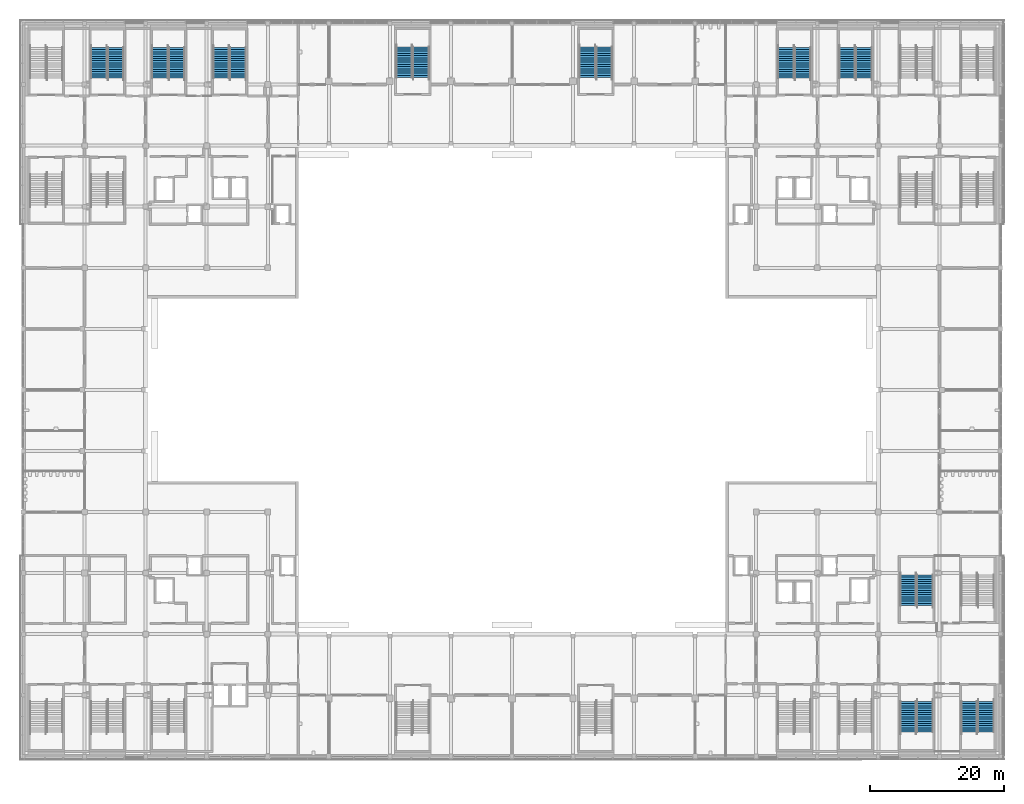
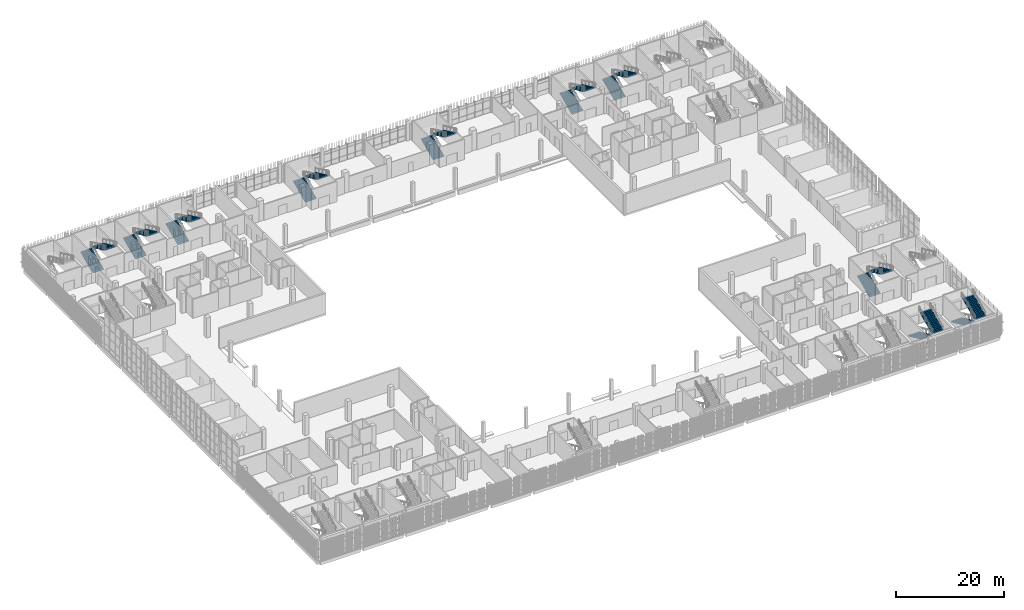
# One storey, part 90 of 126: 20 stair flights, 10 elements without a shape of their own.
"""IFC4 building model written with IfcOpenShell, lengths in metres."""

from ifc_helpers import new_model, si_unit, direction, frame, origin, place, context, subcontext, project, spatial, polyline, outline, extrude, material, type_object, element, aggregate, save


model = new_model("IFC4")

# Units and contexts
model_context = context("Model", 3, precision=1e-05, world=origin(), true_north=direction((0.0, 1.0)))
body_context = subcontext(model_context, "Body", "Model", "MODEL_VIEW")
ifc_project = project(units=[si_unit("LENGTHUNIT", "METRE"), si_unit("AREAUNIT", "SQUARE_METRE"), si_unit("VOLUMEUNIT", "CUBIC_METRE"), si_unit("PLANEANGLEUNIT", "RADIAN"), si_unit("MASSUNIT", "GRAM", prefix="KILO")], contexts=[model_context])

# Site, building, storey
site_placement = place(None, origin())
site = spatial("IfcSite", under=ifc_project, at=site_placement, CompositionType="ELEMENT")
building_placement = place(site_placement, origin())
building = spatial("IfcBuilding", under=site, at=building_placement, Name="Shirokan Park Arena", CompositionType="ELEMENT")
storey_placement = place(building_placement, frame((0.0, 0.0, 6.3701171875)))
storey = spatial("IfcBuildingStorey", under=building, at=storey_placement, Name="L01", CompositionType="ELEMENT", Elevation=6.3701171875)

# Stair, stair flights
ifc_material = material(Name="Concrete C30 precast", Category="concrete")
stair_type = type_object("IfcStairType", Name="Stair 30 risers 152 x 327 2400 wide", PredefinedType="TWO_STRAIGHT_RUN_STAIR", material=ifc_material)
stair_1_placement = place(storey_placement, origin())
stair_1 = element("IfcStair", 1, at=stair_1_placement, inside=storey, type_object=stair_type, Name="Exit Stair 2.A L01 to L02", PredefinedType="TWO_STRAIGHT_RUN_STAIR")
stair_flight_type = type_object("IfcStairFlightType", Name="Stair flight 15 risers 152 x 327 2400 wide", PredefinedType="STRAIGHT", material=ifc_material)
stair_flight_1_placement = place(storey_placement, frame((140.949951171875, 8.14990234375, 0.0), z_axis=(0.0, 0.0, 1.0), x_axis=(0.0, -1.0, 0.0)))
stair_flight_1 = element("IfcStairFlight", 2, at=stair_flight_1_placement, type_object=stair_flight_type, Name="ST04.2 flight 1", NumberOfRisers=15, NumberOfTreads=14, PredefinedType="STRAIGHT", RiserHeight=0.151666667, TreadLength=0.3267, context=body_context, shape_type="SweptSolid", body=[
    extrude(outline(polyline([(0.0, 0.0), (0.0, 0.151611328125), (0.32666015625, 0.151611328125), (0.32666015625, 0.30322265625), (0.6533203125, 0.30322265625), (0.6533203125, 0.455078125), (0.97998046875, 0.455078125), (0.97998046875, 0.606689453125), (1.306884765625, 0.606689453125), (1.306884765625, 0.75830078125), (1.633544921875, 0.75830078125), (1.633544921875, 0.909912109375), (1.960205078125, 0.909912109375), (1.960205078125, 1.061767578125), (2.286865234375, 1.061767578125), (2.286865234375, 1.21337890625), (2.613525390625, 1.21337890625), (2.613525390625, 1.364990234375), (2.940185546875, 1.364990234375), (2.940185546875, 1.5166015625), (3.26708984375, 1.5166015625), (3.26708984375, 1.668212890625), (3.59375, 1.668212890625), (3.59375, 1.820068359375), (3.92041015625, 1.820068359375), (3.92041015625, 1.9716796875), (4.2470703125, 1.9716796875), (4.2470703125, 2.123291015625), (4.57373046875, 2.123291015625), (4.57373046875, 2.27490234375), (4.57373046875, 1.9580078125), (0.35595703125, 0.0), (0.0, 0.0)])), frame((0.0, 1.199951171875, 0.0), z_axis=(0.0, -1.0, 0.0), x_axis=(1.0, 0.0, 0.0)), (0.0, 0.0, 1.0), 2.39990234375),
])
stair_flight_2_placement = place(storey_placement, frame((143.449951171875, 3.576171875, 2.27490234375), z_axis=(0.0, 0.0, 1.0), x_axis=(0.0, 1.0, 0.0)))
stair_flight_2 = element("IfcStairFlight", 3, at=stair_flight_2_placement, type_object=stair_flight_type, Name="ST04.2 flight 2", NumberOfRisers=15, NumberOfTreads=14, PredefinedType="STRAIGHT", RiserHeight=0.151666667, TreadLength=0.3267, context=body_context, shape_type="SweptSolid", body=[
    extrude(outline(polyline([(0.0, 0.0), (0.0, 0.151611328125), (0.32666015625, 0.151611328125), (0.32666015625, 0.30322265625), (0.6533203125, 0.30322265625), (0.6533203125, 0.455078125), (0.97998046875, 0.455078125), (0.97998046875, 0.606689453125), (1.306884765625, 0.606689453125), (1.306884765625, 0.75830078125), (1.633544921875, 0.75830078125), (1.633544921875, 0.909912109375), (1.960205078125, 0.909912109375), (1.960205078125, 1.061767578125), (2.286865234375, 1.061767578125), (2.286865234375, 1.21337890625), (2.613525390625, 1.21337890625), (2.613525390625, 1.364990234375), (2.940185546875, 1.364990234375), (2.940185546875, 1.5166015625), (3.26708984375, 1.5166015625), (3.26708984375, 1.668212890625), (3.59375, 1.668212890625), (3.59375, 1.820068359375), (3.92041015625, 1.820068359375), (3.92041015625, 1.9716796875), (4.2470703125, 1.9716796875), (4.2470703125, 2.123291015625), (4.57373046875, 2.123291015625), (4.57373046875, 2.27490234375), (4.57373046875, 1.9580078125), (0.35595703125, 0.0), (0.0, 0.0)])), frame((0.0, 1.199951171875, 0.0), z_axis=(0.0, -1.0, 0.0), x_axis=(1.0, 0.0, 0.0)), (0.0, 0.0, 1.0), 2.39990234375),
])
aggregate(stair_1, [stair_flight_1, stair_flight_2])

stair_2_placement = place(storey_placement, origin())
stair_2 = element("IfcStair", 4, at=stair_2_placement, inside=storey, type_object=stair_type, Name="Exit Stair 2.B L01 to L02", PredefinedType="TWO_STRAIGHT_RUN_STAIR")
stair_flight_3_placement = place(storey_placement, frame((131.85009765625, 8.14990234375, 0.0), z_axis=(0.0, 0.0, 1.0), x_axis=(0.0, -1.0, 0.0)))
stair_flight_3 = element("IfcStairFlight", 5, at=stair_flight_3_placement, type_object=stair_flight_type, Name="ST05.2 flight 1", NumberOfRisers=15, NumberOfTreads=14, PredefinedType="STRAIGHT", RiserHeight=0.151666667, TreadLength=0.3267, context=body_context, shape_type="SweptSolid", body=[
    extrude(outline(polyline([(0.0, 0.0), (0.0, 0.151611328125), (0.32666015625, 0.151611328125), (0.32666015625, 0.30322265625), (0.6533203125, 0.30322265625), (0.6533203125, 0.455078125), (0.97998046875, 0.455078125), (0.97998046875, 0.606689453125), (1.306884765625, 0.606689453125), (1.306884765625, 0.75830078125), (1.633544921875, 0.75830078125), (1.633544921875, 0.909912109375), (1.960205078125, 0.909912109375), (1.960205078125, 1.061767578125), (2.286865234375, 1.061767578125), (2.286865234375, 1.21337890625), (2.613525390625, 1.21337890625), (2.613525390625, 1.364990234375), (2.940185546875, 1.364990234375), (2.940185546875, 1.5166015625), (3.26708984375, 1.5166015625), (3.26708984375, 1.668212890625), (3.59375, 1.668212890625), (3.59375, 1.820068359375), (3.92041015625, 1.820068359375), (3.92041015625, 1.9716796875), (4.2470703125, 1.9716796875), (4.2470703125, 2.123291015625), (4.57373046875, 2.123291015625), (4.57373046875, 2.27490234375), (4.57373046875, 1.9580078125), (0.35595703125, 0.0), (0.0, 0.0)])), frame((0.0, 1.199951171875, 0.0), z_axis=(0.0, -1.0, 0.0), x_axis=(1.0, 0.0, 0.0)), (0.0, 0.0, 1.0), 2.39990234375),
])
stair_flight_4_placement = place(storey_placement, frame((134.35009765625, 3.576171875, 2.27490234375), z_axis=(0.0, 0.0, 1.0), x_axis=(0.0, 1.0, 0.0)))
stair_flight_4 = element("IfcStairFlight", 6, at=stair_flight_4_placement, type_object=stair_flight_type, Name="ST05.2 flight 2", NumberOfRisers=15, NumberOfTreads=14, PredefinedType="STRAIGHT", RiserHeight=0.151666667, TreadLength=0.3267, context=body_context, shape_type="SweptSolid", body=[
    extrude(outline(polyline([(0.0, 0.0), (0.0, 0.151611328125), (0.32666015625, 0.151611328125), (0.32666015625, 0.30322265625), (0.6533203125, 0.30322265625), (0.6533203125, 0.455078125), (0.97998046875, 0.455078125), (0.97998046875, 0.606689453125), (1.306884765625, 0.606689453125), (1.306884765625, 0.75830078125), (1.633544921875, 0.75830078125), (1.633544921875, 0.909912109375), (1.960205078125, 0.909912109375), (1.960205078125, 1.061767578125), (2.286865234375, 1.061767578125), (2.286865234375, 1.21337890625), (2.613525390625, 1.21337890625), (2.613525390625, 1.364990234375), (2.940185546875, 1.364990234375), (2.940185546875, 1.5166015625), (3.26708984375, 1.5166015625), (3.26708984375, 1.668212890625), (3.59375, 1.668212890625), (3.59375, 1.820068359375), (3.92041015625, 1.820068359375), (3.92041015625, 1.9716796875), (4.2470703125, 1.9716796875), (4.2470703125, 2.123291015625), (4.57373046875, 2.123291015625), (4.57373046875, 2.27490234375), (4.57373046875, 1.9580078125), (0.35595703125, 0.0), (0.0, 0.0)])), frame((0.0, 1.199951171875, 0.0), z_axis=(0.0, -1.0, 0.0), x_axis=(1.0, 0.0, 0.0)), (0.0, 0.0, 1.0), 2.39990234375),
])
aggregate(stair_2, [stair_flight_3, stair_flight_4])

stair_3_placement = place(storey_placement, origin())
stair_3 = element("IfcStair", 7, at=stair_3_placement, inside=storey, type_object=stair_type, Name="Exit Stair 2.F L01 to L02", PredefinedType="TWO_STRAIGHT_RUN_STAIR")
stair_flight_5_placement = place(storey_placement, frame((131.85009765625, 22.449951171875, 0.0), z_axis=(0.0, 0.0, 1.0), x_axis=(0.0, 1.0, 0.0)))
stair_flight_5 = element("IfcStairFlight", 8, at=stair_flight_5_placement, type_object=stair_flight_type, Name="ST09.2 flight 1", NumberOfRisers=15, NumberOfTreads=14, PredefinedType="STRAIGHT", RiserHeight=0.151666667, TreadLength=0.3267, context=body_context, shape_type="SweptSolid", body=[
    extrude(outline(polyline([(0.0, 0.0), (0.0, 0.151611328125), (0.32666015625, 0.151611328125), (0.32666015625, 0.30322265625), (0.6533203125, 0.30322265625), (0.6533203125, 0.455078125), (0.97998046875, 0.455078125), (0.97998046875, 0.606689453125), (1.306884765625, 0.606689453125), (1.306884765625, 0.75830078125), (1.633544921875, 0.75830078125), (1.633544921875, 0.909912109375), (1.960205078125, 0.909912109375), (1.960205078125, 1.061767578125), (2.286865234375, 1.061767578125), (2.286865234375, 1.21337890625), (2.613525390625, 1.21337890625), (2.613525390625, 1.364990234375), (2.940185546875, 1.364990234375), (2.940185546875, 1.5166015625), (3.26708984375, 1.5166015625), (3.26708984375, 1.668212890625), (3.59375, 1.668212890625), (3.59375, 1.820068359375), (3.92041015625, 1.820068359375), (3.92041015625, 1.9716796875), (4.2470703125, 1.9716796875), (4.2470703125, 2.123291015625), (4.57373046875, 2.123291015625), (4.57373046875, 2.27490234375), (4.57373046875, 1.9580078125), (0.35595703125, 0.0), (0.0, 0.0)])), frame((0.0, 1.199951171875, 0.0), z_axis=(0.0, -1.0, 0.0), x_axis=(1.0, 0.0, 0.0)), (0.0, 0.0, 1.0), 2.39990234375),
])
stair_flight_6_placement = place(storey_placement, frame((134.35009765625, 27.023681640625, 2.27490234375), z_axis=(0.0, 0.0, 1.0), x_axis=(0.0, -1.0, 0.0)))
stair_flight_6 = element("IfcStairFlight", 9, at=stair_flight_6_placement, type_object=stair_flight_type, Name="ST09.2 flight 2", NumberOfRisers=15, NumberOfTreads=14, PredefinedType="STRAIGHT", RiserHeight=0.151666667, TreadLength=0.3267, context=body_context, shape_type="SweptSolid", body=[
    extrude(outline(polyline([(0.0, 0.0), (0.0, 0.151611328125), (0.32666015625, 0.151611328125), (0.32666015625, 0.30322265625), (0.6533203125, 0.30322265625), (0.6533203125, 0.455078125), (0.97998046875, 0.455078125), (0.97998046875, 0.606689453125), (1.306884765625, 0.606689453125), (1.306884765625, 0.75830078125), (1.633544921875, 0.75830078125), (1.633544921875, 0.909912109375), (1.960205078125, 0.909912109375), (1.960205078125, 1.061767578125), (2.286865234375, 1.061767578125), (2.286865234375, 1.21337890625), (2.613525390625, 1.21337890625), (2.613525390625, 1.364990234375), (2.940185546875, 1.364990234375), (2.940185546875, 1.5166015625), (3.26708984375, 1.5166015625), (3.26708984375, 1.668212890625), (3.59375, 1.668212890625), (3.59375, 1.820068359375), (3.92041015625, 1.820068359375), (3.92041015625, 1.9716796875), (4.2470703125, 1.9716796875), (4.2470703125, 2.123291015625), (4.57373046875, 2.123291015625), (4.57373046875, 2.27490234375), (4.57373046875, 1.9580078125), (0.35595703125, 0.0), (0.0, 0.0)])), frame((0.0, 1.199951171875, 0.0), z_axis=(0.0, -1.0, 0.0), x_axis=(1.0, 0.0, 0.0)), (0.0, 0.0, 1.0), 2.39990234375),
])
aggregate(stair_3, [stair_flight_5, stair_flight_6])

stair_4_placement = place(storey_placement, origin())
stair_4 = element("IfcStair", 10, at=stair_4_placement, inside=storey, type_object=stair_type, Name="Exit Stair 4.B L01 to L02", PredefinedType="TWO_STRAIGHT_RUN_STAIR")
stair_flight_7_placement = place(storey_placement, frame((11.25, 101.050048828125, 0.0), z_axis=(0.0, 0.0, 1.0), x_axis=(0.0, 1.0, 0.0)))
stair_flight_7 = element("IfcStairFlight", 11, at=stair_flight_7_placement, type_object=stair_flight_type, Name="ST11.2 flight 1", NumberOfRisers=15, NumberOfTreads=14, PredefinedType="STRAIGHT", RiserHeight=0.151666667, TreadLength=0.3267, context=body_context, shape_type="SweptSolid", body=[
    extrude(outline(polyline([(0.0, 0.0), (0.0, 0.151611328125), (0.32666015625, 0.151611328125), (0.32666015625, 0.30322265625), (0.6533203125, 0.30322265625), (0.6533203125, 0.455078125), (0.97998046875, 0.455078125), (0.97998046875, 0.606689453125), (1.306884765625, 0.606689453125), (1.306884765625, 0.75830078125), (1.633544921875, 0.75830078125), (1.633544921875, 0.909912109375), (1.960205078125, 0.909912109375), (1.960205078125, 1.061767578125), (2.286865234375, 1.061767578125), (2.286865234375, 1.21337890625), (2.613525390625, 1.21337890625), (2.613525390625, 1.364990234375), (2.940185546875, 1.364990234375), (2.940185546875, 1.5166015625), (3.26708984375, 1.5166015625), (3.26708984375, 1.668212890625), (3.59375, 1.668212890625), (3.59375, 1.820068359375), (3.92041015625, 1.820068359375), (3.92041015625, 1.9716796875), (4.2470703125, 1.9716796875), (4.2470703125, 2.123291015625), (4.57373046875, 2.123291015625), (4.57373046875, 2.27490234375), (4.57373046875, 1.9580078125), (0.35595703125, 0.0), (0.0, 0.0)])), frame((0.0, 1.199951171875, 0.0), z_axis=(0.0, -1.0, 0.0), x_axis=(1.0, 0.0, 0.0)), (0.0, 0.0, 1.0), 2.39990234375),
])
stair_flight_8_placement = place(storey_placement, frame((13.75, 105.623779296875, 2.27490234375), z_axis=(0.0, 0.0, 1.0), x_axis=(0.0, -1.0, 0.0)))
stair_flight_8 = element("IfcStairFlight", 12, at=stair_flight_8_placement, type_object=stair_flight_type, Name="ST11.2 flight 2", NumberOfRisers=15, NumberOfTreads=14, PredefinedType="STRAIGHT", RiserHeight=0.151666667, TreadLength=0.3267, context=body_context, shape_type="SweptSolid", body=[
    extrude(outline(polyline([(0.0, 0.0), (0.0, 0.151611328125), (0.32666015625, 0.151611328125), (0.32666015625, 0.30322265625), (0.6533203125, 0.30322265625), (0.6533203125, 0.455078125), (0.97998046875, 0.455078125), (0.97998046875, 0.606689453125), (1.306884765625, 0.606689453125), (1.306884765625, 0.75830078125), (1.633544921875, 0.75830078125), (1.633544921875, 0.909912109375), (1.960205078125, 0.909912109375), (1.960205078125, 1.061767578125), (2.286865234375, 1.061767578125), (2.286865234375, 1.21337890625), (2.613525390625, 1.21337890625), (2.613525390625, 1.364990234375), (2.940185546875, 1.364990234375), (2.940185546875, 1.5166015625), (3.26708984375, 1.5166015625), (3.26708984375, 1.668212890625), (3.59375, 1.668212890625), (3.59375, 1.820068359375), (3.92041015625, 1.820068359375), (3.92041015625, 1.9716796875), (4.2470703125, 1.9716796875), (4.2470703125, 2.123291015625), (4.57373046875, 2.123291015625), (4.57373046875, 2.27490234375), (4.57373046875, 1.9580078125), (0.35595703125, 0.0), (0.0, 0.0)])), frame((0.0, 1.199951171875, 0.0), z_axis=(0.0, -1.0, 0.0), x_axis=(1.0, 0.0, 0.0)), (0.0, 0.0, 1.0), 2.39990234375),
])
aggregate(stair_4, [stair_flight_7, stair_flight_8])

stair_5_placement = place(storey_placement, origin())
stair_5 = element("IfcStair", 13, at=stair_5_placement, inside=storey, type_object=stair_type, Name="Exit Stair 4.C L01 to L02", PredefinedType="TWO_STRAIGHT_RUN_STAIR")
stair_flight_9_placement = place(storey_placement, frame((20.35009765625, 101.050048828125, 0.0), z_axis=(0.0, 0.0, 1.0), x_axis=(0.0, 1.0, 0.0)))
stair_flight_9 = element("IfcStairFlight", 14, at=stair_flight_9_placement, type_object=stair_flight_type, Name="ST12.2 flight 1", NumberOfRisers=15, NumberOfTreads=14, PredefinedType="STRAIGHT", RiserHeight=0.151666667, TreadLength=0.3267, context=body_context, shape_type="SweptSolid", body=[
    extrude(outline(polyline([(0.0, 0.0), (0.0, 0.151611328125), (0.32666015625, 0.151611328125), (0.32666015625, 0.30322265625), (0.6533203125, 0.30322265625), (0.6533203125, 0.455078125), (0.97998046875, 0.455078125), (0.97998046875, 0.606689453125), (1.306884765625, 0.606689453125), (1.306884765625, 0.75830078125), (1.633544921875, 0.75830078125), (1.633544921875, 0.909912109375), (1.960205078125, 0.909912109375), (1.960205078125, 1.061767578125), (2.286865234375, 1.061767578125), (2.286865234375, 1.21337890625), (2.613525390625, 1.21337890625), (2.613525390625, 1.364990234375), (2.940185546875, 1.364990234375), (2.940185546875, 1.5166015625), (3.26708984375, 1.5166015625), (3.26708984375, 1.668212890625), (3.59375, 1.668212890625), (3.59375, 1.820068359375), (3.92041015625, 1.820068359375), (3.92041015625, 1.9716796875), (4.2470703125, 1.9716796875), (4.2470703125, 2.123291015625), (4.57373046875, 2.123291015625), (4.57373046875, 2.27490234375), (4.57373046875, 1.9580078125), (0.35595703125, 0.0), (0.0, 0.0)])), frame((0.0, 1.199951171875, 0.0), z_axis=(0.0, -1.0, 0.0), x_axis=(1.0, 0.0, 0.0)), (0.0, 0.0, 1.0), 2.39990234375),
])
stair_flight_10_placement = place(storey_placement, frame((22.85009765625, 105.623779296875, 2.27490234375), z_axis=(0.0, 0.0, 1.0), x_axis=(0.0, -1.0, 0.0)))
stair_flight_10 = element("IfcStairFlight", 15, at=stair_flight_10_placement, type_object=stair_flight_type, Name="ST12.2 flight 2", NumberOfRisers=15, NumberOfTreads=14, PredefinedType="STRAIGHT", RiserHeight=0.151666667, TreadLength=0.3267, context=body_context, shape_type="SweptSolid", body=[
    extrude(outline(polyline([(0.0, 0.0), (0.0, 0.151611328125), (0.32666015625, 0.151611328125), (0.32666015625, 0.30322265625), (0.6533203125, 0.30322265625), (0.6533203125, 0.455078125), (0.97998046875, 0.455078125), (0.97998046875, 0.606689453125), (1.306884765625, 0.606689453125), (1.306884765625, 0.75830078125), (1.633544921875, 0.75830078125), (1.633544921875, 0.909912109375), (1.960205078125, 0.909912109375), (1.960205078125, 1.061767578125), (2.286865234375, 1.061767578125), (2.286865234375, 1.21337890625), (2.613525390625, 1.21337890625), (2.613525390625, 1.364990234375), (2.940185546875, 1.364990234375), (2.940185546875, 1.5166015625), (3.26708984375, 1.5166015625), (3.26708984375, 1.668212890625), (3.59375, 1.668212890625), (3.59375, 1.820068359375), (3.92041015625, 1.820068359375), (3.92041015625, 1.9716796875), (4.2470703125, 1.9716796875), (4.2470703125, 2.123291015625), (4.57373046875, 2.123291015625), (4.57373046875, 2.27490234375), (4.57373046875, 1.9580078125), (0.35595703125, 0.0), (0.0, 0.0)])), frame((0.0, 1.199951171875, 0.0), z_axis=(0.0, -1.0, 0.0), x_axis=(1.0, 0.0, 0.0)), (0.0, 0.0, 1.0), 2.39990234375),
])
aggregate(stair_5, [stair_flight_9, stair_flight_10])

stair_6_placement = place(storey_placement, origin())
stair_6 = element("IfcStair", 16, at=stair_6_placement, inside=storey, type_object=stair_type, Name="Exit Stair 4.D L01 to L02", PredefinedType="TWO_STRAIGHT_RUN_STAIR")
stair_flight_11_placement = place(storey_placement, frame((29.449951171875, 101.050048828125, 0.0), z_axis=(0.0, 0.0, 1.0), x_axis=(0.0, 1.0, 0.0)))
stair_flight_11 = element("IfcStairFlight", 17, at=stair_flight_11_placement, type_object=stair_flight_type, Name="ST13.2 flight 1", NumberOfRisers=15, NumberOfTreads=14, PredefinedType="STRAIGHT", RiserHeight=0.151666667, TreadLength=0.3267, context=body_context, shape_type="SweptSolid", body=[
    extrude(outline(polyline([(0.0, 0.0), (0.0, 0.151611328125), (0.32666015625, 0.151611328125), (0.32666015625, 0.30322265625), (0.6533203125, 0.30322265625), (0.6533203125, 0.455078125), (0.97998046875, 0.455078125), (0.97998046875, 0.606689453125), (1.306884765625, 0.606689453125), (1.306884765625, 0.75830078125), (1.633544921875, 0.75830078125), (1.633544921875, 0.909912109375), (1.960205078125, 0.909912109375), (1.960205078125, 1.061767578125), (2.286865234375, 1.061767578125), (2.286865234375, 1.21337890625), (2.613525390625, 1.21337890625), (2.613525390625, 1.364990234375), (2.940185546875, 1.364990234375), (2.940185546875, 1.5166015625), (3.26708984375, 1.5166015625), (3.26708984375, 1.668212890625), (3.59375, 1.668212890625), (3.59375, 1.820068359375), (3.92041015625, 1.820068359375), (3.92041015625, 1.9716796875), (4.2470703125, 1.9716796875), (4.2470703125, 2.123291015625), (4.57373046875, 2.123291015625), (4.57373046875, 2.27490234375), (4.57373046875, 1.9580078125), (0.35595703125, 0.0), (0.0, 0.0)])), frame((0.0, 1.199951171875, 0.0), z_axis=(0.0, -1.0, 0.0), x_axis=(1.0, 0.0, 0.0)), (0.0, 0.0, 1.0), 2.39990234375),
])
stair_flight_12_placement = place(storey_placement, frame((31.949951171875, 105.623779296875, 2.27490234375), z_axis=(0.0, 0.0, 1.0), x_axis=(0.0, -1.0, 0.0)))
stair_flight_12 = element("IfcStairFlight", 18, at=stair_flight_12_placement, type_object=stair_flight_type, Name="ST13.2 flight 2", NumberOfRisers=15, NumberOfTreads=14, PredefinedType="STRAIGHT", RiserHeight=0.151666667, TreadLength=0.3267, context=body_context, shape_type="SweptSolid", body=[
    extrude(outline(polyline([(0.0, 0.0), (0.0, 0.151611328125), (0.32666015625, 0.151611328125), (0.32666015625, 0.30322265625), (0.6533203125, 0.30322265625), (0.6533203125, 0.455078125), (0.97998046875, 0.455078125), (0.97998046875, 0.606689453125), (1.306884765625, 0.606689453125), (1.306884765625, 0.75830078125), (1.633544921875, 0.75830078125), (1.633544921875, 0.909912109375), (1.960205078125, 0.909912109375), (1.960205078125, 1.061767578125), (2.286865234375, 1.061767578125), (2.286865234375, 1.21337890625), (2.613525390625, 1.21337890625), (2.613525390625, 1.364990234375), (2.940185546875, 1.364990234375), (2.940185546875, 1.5166015625), (3.26708984375, 1.5166015625), (3.26708984375, 1.668212890625), (3.59375, 1.668212890625), (3.59375, 1.820068359375), (3.92041015625, 1.820068359375), (3.92041015625, 1.9716796875), (4.2470703125, 1.9716796875), (4.2470703125, 2.123291015625), (4.57373046875, 2.123291015625), (4.57373046875, 2.27490234375), (4.57373046875, 1.9580078125), (0.35595703125, 0.0), (0.0, 0.0)])), frame((0.0, 1.199951171875, 0.0), z_axis=(0.0, -1.0, 0.0), x_axis=(1.0, 0.0, 0.0)), (0.0, 0.0, 1.0), 2.39990234375),
])
aggregate(stair_6, [stair_flight_11, stair_flight_12])

stair_7_placement = place(storey_placement, origin())
stair_7 = element("IfcStair", 19, at=stair_7_placement, inside=storey, type_object=stair_type, Name="Exit Stair 3.C L01 to L02", PredefinedType="TWO_STRAIGHT_RUN_STAIR")
stair_flight_13_placement = place(storey_placement, frame((122.75, 101.050048828125, 0.0), z_axis=(0.0, 0.0, 1.0), x_axis=(0.0, 1.0, 0.0)))
stair_flight_13 = element("IfcStairFlight", 20, at=stair_flight_13_placement, type_object=stair_flight_type, Name="ST18.2 flight 1", NumberOfRisers=15, NumberOfTreads=14, PredefinedType="STRAIGHT", RiserHeight=0.151666667, TreadLength=0.3267, context=body_context, shape_type="SweptSolid", body=[
    extrude(outline(polyline([(0.0, 0.0), (0.0, 0.151611328125), (0.32666015625, 0.151611328125), (0.32666015625, 0.30322265625), (0.6533203125, 0.30322265625), (0.6533203125, 0.455078125), (0.97998046875, 0.455078125), (0.97998046875, 0.606689453125), (1.306884765625, 0.606689453125), (1.306884765625, 0.75830078125), (1.633544921875, 0.75830078125), (1.633544921875, 0.909912109375), (1.960205078125, 0.909912109375), (1.960205078125, 1.061767578125), (2.286865234375, 1.061767578125), (2.286865234375, 1.21337890625), (2.613525390625, 1.21337890625), (2.613525390625, 1.364990234375), (2.940185546875, 1.364990234375), (2.940185546875, 1.5166015625), (3.26708984375, 1.5166015625), (3.26708984375, 1.668212890625), (3.59375, 1.668212890625), (3.59375, 1.820068359375), (3.92041015625, 1.820068359375), (3.92041015625, 1.9716796875), (4.2470703125, 1.9716796875), (4.2470703125, 2.123291015625), (4.57373046875, 2.123291015625), (4.57373046875, 2.27490234375), (4.57373046875, 1.9580078125), (0.35595703125, 0.0), (0.0, 0.0)])), frame((0.0, 1.199951171875, 0.0), z_axis=(0.0, -1.0, 0.0), x_axis=(1.0, 0.0, 0.0)), (0.0, 0.0, 1.0), 2.39990234375),
])
stair_flight_14_placement = place(storey_placement, frame((125.25, 105.623779296875, 2.27490234375), z_axis=(0.0, 0.0, 1.0), x_axis=(0.0, -1.0, 0.0)))
stair_flight_14 = element("IfcStairFlight", 21, at=stair_flight_14_placement, type_object=stair_flight_type, Name="ST18.2 flight 2", NumberOfRisers=15, NumberOfTreads=14, PredefinedType="STRAIGHT", RiserHeight=0.151666667, TreadLength=0.3267, context=body_context, shape_type="SweptSolid", body=[
    extrude(outline(polyline([(0.0, 0.0), (0.0, 0.151611328125), (0.32666015625, 0.151611328125), (0.32666015625, 0.30322265625), (0.6533203125, 0.30322265625), (0.6533203125, 0.455078125), (0.97998046875, 0.455078125), (0.97998046875, 0.606689453125), (1.306884765625, 0.606689453125), (1.306884765625, 0.75830078125), (1.633544921875, 0.75830078125), (1.633544921875, 0.909912109375), (1.960205078125, 0.909912109375), (1.960205078125, 1.061767578125), (2.286865234375, 1.061767578125), (2.286865234375, 1.21337890625), (2.613525390625, 1.21337890625), (2.613525390625, 1.364990234375), (2.940185546875, 1.364990234375), (2.940185546875, 1.5166015625), (3.26708984375, 1.5166015625), (3.26708984375, 1.668212890625), (3.59375, 1.668212890625), (3.59375, 1.820068359375), (3.92041015625, 1.820068359375), (3.92041015625, 1.9716796875), (4.2470703125, 1.9716796875), (4.2470703125, 2.123291015625), (4.57373046875, 2.123291015625), (4.57373046875, 2.27490234375), (4.57373046875, 1.9580078125), (0.35595703125, 0.0), (0.0, 0.0)])), frame((0.0, 1.199951171875, 0.0), z_axis=(0.0, -1.0, 0.0), x_axis=(1.0, 0.0, 0.0)), (0.0, 0.0, 1.0), 2.39990234375),
])
aggregate(stair_7, [stair_flight_13, stair_flight_14])

stair_8_placement = place(storey_placement, origin())
stair_8 = element("IfcStair", 22, at=stair_8_placement, inside=storey, type_object=stair_type, Name="Exit Stair 3.D L01 to L02", PredefinedType="TWO_STRAIGHT_RUN_STAIR")
stair_flight_15_placement = place(storey_placement, frame((113.64990234375, 101.050048828125, 0.0), z_axis=(0.0, 0.0, 1.0), x_axis=(0.0, 1.0, 0.0)))
stair_flight_15 = element("IfcStairFlight", 23, at=stair_flight_15_placement, type_object=stair_flight_type, Name="ST19.2 flight 1", NumberOfRisers=15, NumberOfTreads=14, PredefinedType="STRAIGHT", RiserHeight=0.151666667, TreadLength=0.3267, context=body_context, shape_type="SweptSolid", body=[
    extrude(outline(polyline([(0.0, 0.0), (0.0, 0.151611328125), (0.32666015625, 0.151611328125), (0.32666015625, 0.30322265625), (0.6533203125, 0.30322265625), (0.6533203125, 0.455078125), (0.97998046875, 0.455078125), (0.97998046875, 0.606689453125), (1.306884765625, 0.606689453125), (1.306884765625, 0.75830078125), (1.633544921875, 0.75830078125), (1.633544921875, 0.909912109375), (1.960205078125, 0.909912109375), (1.960205078125, 1.061767578125), (2.286865234375, 1.061767578125), (2.286865234375, 1.21337890625), (2.613525390625, 1.21337890625), (2.613525390625, 1.364990234375), (2.940185546875, 1.364990234375), (2.940185546875, 1.5166015625), (3.26708984375, 1.5166015625), (3.26708984375, 1.668212890625), (3.59375, 1.668212890625), (3.59375, 1.820068359375), (3.92041015625, 1.820068359375), (3.92041015625, 1.9716796875), (4.2470703125, 1.9716796875), (4.2470703125, 2.123291015625), (4.57373046875, 2.123291015625), (4.57373046875, 2.27490234375), (4.57373046875, 1.9580078125), (0.35595703125, 0.0), (0.0, 0.0)])), frame((0.0, 1.199951171875, 0.0), z_axis=(0.0, -1.0, 0.0), x_axis=(1.0, 0.0, 0.0)), (0.0, 0.0, 1.0), 2.39990234375),
])
stair_flight_16_placement = place(storey_placement, frame((116.14990234375, 105.623779296875, 2.27490234375), z_axis=(0.0, 0.0, 1.0), x_axis=(0.0, -1.0, 0.0)))
stair_flight_16 = element("IfcStairFlight", 24, at=stair_flight_16_placement, type_object=stair_flight_type, Name="ST19.2 flight 2", NumberOfRisers=15, NumberOfTreads=14, PredefinedType="STRAIGHT", RiserHeight=0.151666667, TreadLength=0.3267, context=body_context, shape_type="SweptSolid", body=[
    extrude(outline(polyline([(0.0, 0.0), (0.0, 0.151611328125), (0.32666015625, 0.151611328125), (0.32666015625, 0.30322265625), (0.6533203125, 0.30322265625), (0.6533203125, 0.455078125), (0.97998046875, 0.455078125), (0.97998046875, 0.606689453125), (1.306884765625, 0.606689453125), (1.306884765625, 0.75830078125), (1.633544921875, 0.75830078125), (1.633544921875, 0.909912109375), (1.960205078125, 0.909912109375), (1.960205078125, 1.061767578125), (2.286865234375, 1.061767578125), (2.286865234375, 1.21337890625), (2.613525390625, 1.21337890625), (2.613525390625, 1.364990234375), (2.940185546875, 1.364990234375), (2.940185546875, 1.5166015625), (3.26708984375, 1.5166015625), (3.26708984375, 1.668212890625), (3.59375, 1.668212890625), (3.59375, 1.820068359375), (3.92041015625, 1.820068359375), (3.92041015625, 1.9716796875), (4.2470703125, 1.9716796875), (4.2470703125, 2.123291015625), (4.57373046875, 2.123291015625), (4.57373046875, 2.27490234375), (4.57373046875, 1.9580078125), (0.35595703125, 0.0), (0.0, 0.0)])), frame((0.0, 1.199951171875, 0.0), z_axis=(0.0, -1.0, 0.0), x_axis=(1.0, 0.0, 0.0)), (0.0, 0.0, 1.0), 2.39990234375),
])
aggregate(stair_8, [stair_flight_15, stair_flight_16])

stair_9_placement = place(storey_placement, origin())
stair_9 = element("IfcStair", 25, at=stair_9_placement, inside=storey, type_object=stair_type, Name="Entrance Stair E4.1 L01 to L02", PredefinedType="TWO_STRAIGHT_RUN_STAIR")
stair_flight_17_placement = place(storey_placement, frame((56.75, 101.14990234375, 0.0), z_axis=(0.0, 0.0, 1.0), x_axis=(0.0, 1.0, 0.0)))
stair_flight_17 = element("IfcStairFlight", 26, at=stair_flight_17_placement, type_object=stair_flight_type, Name="ST22.2 flight 1", NumberOfRisers=15, NumberOfTreads=14, PredefinedType="STRAIGHT", RiserHeight=0.151666667, TreadLength=0.3267, context=body_context, shape_type="SweptSolid", body=[
    extrude(outline(polyline([(0.0, 0.0), (0.0, 0.151611328125), (0.32666015625, 0.151611328125), (0.32666015625, 0.30322265625), (0.6533203125, 0.30322265625), (0.6533203125, 0.455078125), (0.97998046875, 0.455078125), (0.97998046875, 0.606689453125), (1.306884765625, 0.606689453125), (1.306884765625, 0.75830078125), (1.633544921875, 0.75830078125), (1.633544921875, 0.909912109375), (1.960205078125, 0.909912109375), (1.960205078125, 1.061767578125), (2.286865234375, 1.061767578125), (2.286865234375, 1.21337890625), (2.613525390625, 1.21337890625), (2.613525390625, 1.364990234375), (2.940185546875, 1.364990234375), (2.940185546875, 1.5166015625), (3.26708984375, 1.5166015625), (3.26708984375, 1.668212890625), (3.59375, 1.668212890625), (3.59375, 1.820068359375), (3.92041015625, 1.820068359375), (3.92041015625, 1.9716796875), (4.2470703125, 1.9716796875), (4.2470703125, 2.123291015625), (4.57373046875, 2.123291015625), (4.57373046875, 2.27490234375), (4.57373046875, 1.9580078125), (0.35595703125, 0.0), (0.0, 0.0)])), frame((0.0, 1.199951171875, 0.0), z_axis=(0.0, -1.0, 0.0), x_axis=(1.0, 0.0, 0.0)), (0.0, 0.0, 1.0), 2.39990234375),
])
stair_flight_18_placement = place(storey_placement, frame((59.25, 105.723876953125, 2.27490234375), z_axis=(0.0, 0.0, 1.0), x_axis=(0.0, -1.0, 0.0)))
stair_flight_18 = element("IfcStairFlight", 27, at=stair_flight_18_placement, type_object=stair_flight_type, Name="ST22.2 flight 2", NumberOfRisers=15, NumberOfTreads=14, PredefinedType="STRAIGHT", RiserHeight=0.151666667, TreadLength=0.3267, context=body_context, shape_type="SweptSolid", body=[
    extrude(outline(polyline([(0.0, 0.0), (0.0, 0.151611328125), (0.32666015625, 0.151611328125), (0.32666015625, 0.30322265625), (0.6533203125, 0.30322265625), (0.6533203125, 0.455078125), (0.97998046875, 0.455078125), (0.97998046875, 0.606689453125), (1.306884765625, 0.606689453125), (1.306884765625, 0.75830078125), (1.633544921875, 0.75830078125), (1.633544921875, 0.909912109375), (1.960205078125, 0.909912109375), (1.960205078125, 1.061767578125), (2.286865234375, 1.061767578125), (2.286865234375, 1.21337890625), (2.613525390625, 1.21337890625), (2.613525390625, 1.364990234375), (2.940185546875, 1.364990234375), (2.940185546875, 1.5166015625), (3.26708984375, 1.5166015625), (3.26708984375, 1.668212890625), (3.59375, 1.668212890625), (3.59375, 1.820068359375), (3.92041015625, 1.820068359375), (3.92041015625, 1.9716796875), (4.2470703125, 1.9716796875), (4.2470703125, 2.123291015625), (4.57373046875, 2.123291015625), (4.57373046875, 2.27490234375), (4.57373046875, 1.9580078125), (0.35595703125, 0.0), (0.0, 0.0)])), frame((0.0, 1.199951171875, 0.0), z_axis=(0.0, -1.0, 0.0), x_axis=(1.0, 0.0, 0.0)), (0.0, 0.0, 1.0), 2.39990234375),
])
aggregate(stair_9, [stair_flight_17, stair_flight_18])

stair_10_placement = place(storey_placement, origin())
stair_10 = element("IfcStair", 28, at=stair_10_placement, inside=storey, type_object=stair_type, Name="Entrance Stair E4.2 L01 to L02", PredefinedType="TWO_STRAIGHT_RUN_STAIR")
stair_flight_19_placement = place(storey_placement, frame((84.050048828125, 101.14990234375, 0.0), z_axis=(0.0, 0.0, 1.0), x_axis=(0.0, 1.0, 0.0)))
stair_flight_19 = element("IfcStairFlight", 29, at=stair_flight_19_placement, type_object=stair_flight_type, Name="ST23.2 flight 1", NumberOfRisers=15, NumberOfTreads=14, PredefinedType="STRAIGHT", RiserHeight=0.151666667, TreadLength=0.3267, context=body_context, shape_type="SweptSolid", body=[
    extrude(outline(polyline([(0.0, 0.0), (0.0, 0.151611328125), (0.32666015625, 0.151611328125), (0.32666015625, 0.30322265625), (0.6533203125, 0.30322265625), (0.6533203125, 0.455078125), (0.97998046875, 0.455078125), (0.97998046875, 0.606689453125), (1.306884765625, 0.606689453125), (1.306884765625, 0.75830078125), (1.633544921875, 0.75830078125), (1.633544921875, 0.909912109375), (1.960205078125, 0.909912109375), (1.960205078125, 1.061767578125), (2.286865234375, 1.061767578125), (2.286865234375, 1.21337890625), (2.613525390625, 1.21337890625), (2.613525390625, 1.364990234375), (2.940185546875, 1.364990234375), (2.940185546875, 1.5166015625), (3.26708984375, 1.5166015625), (3.26708984375, 1.668212890625), (3.59375, 1.668212890625), (3.59375, 1.820068359375), (3.92041015625, 1.820068359375), (3.92041015625, 1.9716796875), (4.2470703125, 1.9716796875), (4.2470703125, 2.123291015625), (4.57373046875, 2.123291015625), (4.57373046875, 2.27490234375), (4.57373046875, 1.9580078125), (0.35595703125, 0.0), (0.0, 0.0)])), frame((0.0, 1.199951171875, 0.0), z_axis=(0.0, -1.0, 0.0), x_axis=(1.0, 0.0, 0.0)), (0.0, 0.0, 1.0), 2.39990234375),
])
stair_flight_20_placement = place(storey_placement, frame((86.550048828125, 105.723876953125, 2.27490234375), z_axis=(0.0, 0.0, 1.0), x_axis=(0.0, -1.0, 0.0)))
stair_flight_20 = element("IfcStairFlight", 30, at=stair_flight_20_placement, type_object=stair_flight_type, Name="ST23.2 flight 2", NumberOfRisers=15, NumberOfTreads=14, PredefinedType="STRAIGHT", RiserHeight=0.151666667, TreadLength=0.3267, context=body_context, shape_type="SweptSolid", body=[
    extrude(outline(polyline([(0.0, 0.0), (0.0, 0.151611328125), (0.32666015625, 0.151611328125), (0.32666015625, 0.30322265625), (0.6533203125, 0.30322265625), (0.6533203125, 0.455078125), (0.97998046875, 0.455078125), (0.97998046875, 0.606689453125), (1.306884765625, 0.606689453125), (1.306884765625, 0.75830078125), (1.633544921875, 0.75830078125), (1.633544921875, 0.909912109375), (1.960205078125, 0.909912109375), (1.960205078125, 1.061767578125), (2.286865234375, 1.061767578125), (2.286865234375, 1.21337890625), (2.613525390625, 1.21337890625), (2.613525390625, 1.364990234375), (2.940185546875, 1.364990234375), (2.940185546875, 1.5166015625), (3.26708984375, 1.5166015625), (3.26708984375, 1.668212890625), (3.59375, 1.668212890625), (3.59375, 1.820068359375), (3.92041015625, 1.820068359375), (3.92041015625, 1.9716796875), (4.2470703125, 1.9716796875), (4.2470703125, 2.123291015625), (4.57373046875, 2.123291015625), (4.57373046875, 2.27490234375), (4.57373046875, 1.9580078125), (0.35595703125, 0.0), (0.0, 0.0)])), frame((0.0, 1.199951171875, 0.0), z_axis=(0.0, -1.0, 0.0), x_axis=(1.0, 0.0, 0.0)), (0.0, 0.0, 1.0), 2.39990234375),
])
aggregate(stair_10, [stair_flight_19, stair_flight_20])

save(model, "model.ifc")
